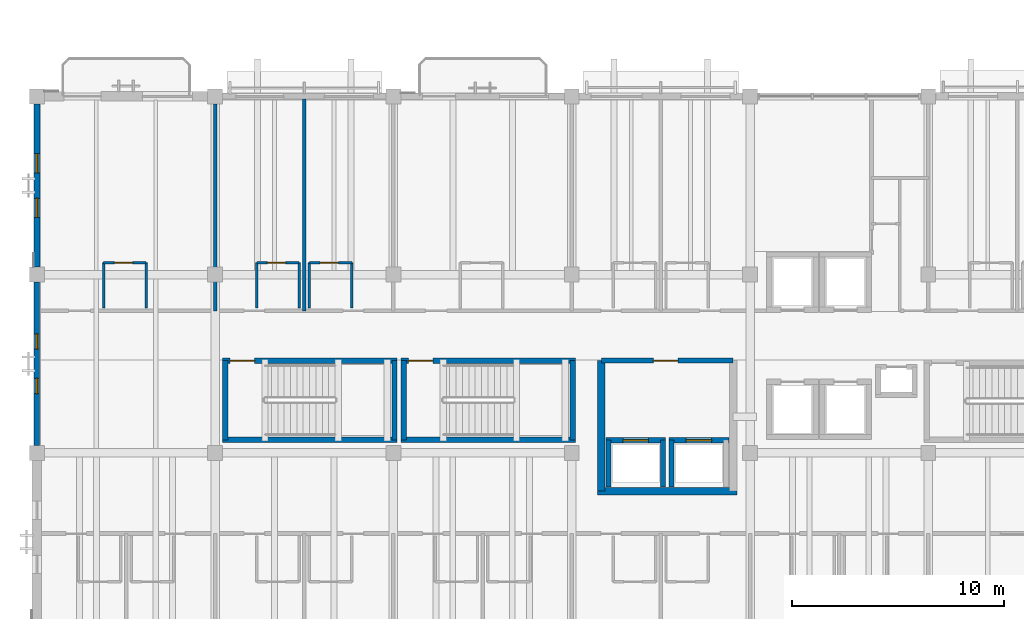
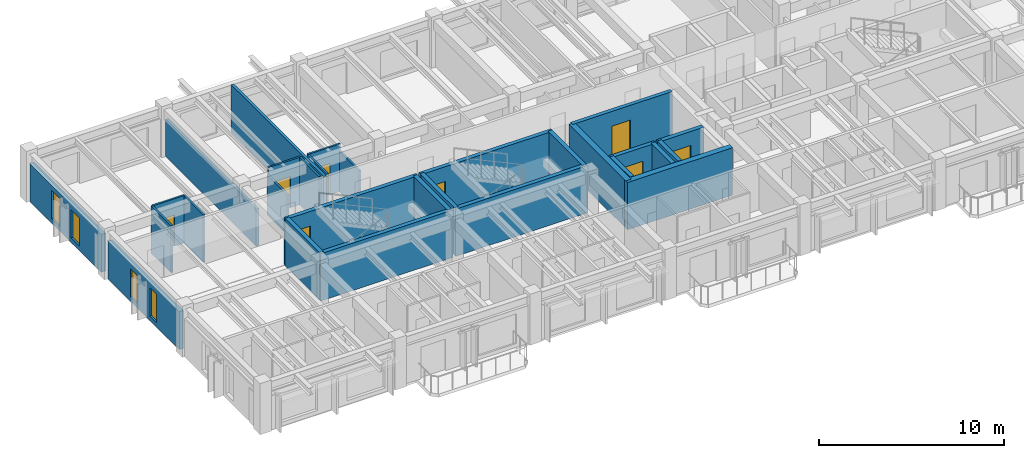
# One storey, part 36 of 64: 29 walls, 8 doors, 4 windows, 12 openings.
"""IFC4 building model written with IfcOpenShell, lengths in metres."""

from ifc_helpers import new_model, si_unit, direction, frame, frame_2d, origin, place, context, subcontext, project, spatial, rectangle, extrude, material, layer, layer_set, type_object, element, fill, save


model = new_model("IFC4")

# Units and contexts
model_context = context("Model", 3, precision=1e-05, world=origin(), true_north=direction((0.0, 1.0)))
body_context = subcontext(model_context, "Body", "Model", "MODEL_VIEW")
ifc_project = project(units=[si_unit("LENGTHUNIT", "METRE"), si_unit("AREAUNIT", "SQUARE_METRE"), si_unit("VOLUMEUNIT", "CUBIC_METRE"), si_unit("PLANEANGLEUNIT", "RADIAN"), si_unit("MASSUNIT", "GRAM", prefix="KILO")], contexts=[model_context])

# Site, building, storey
site_placement = place(None, origin())
site = spatial("IfcSite", under=ifc_project, at=site_placement, CompositionType="ELEMENT")
building_placement = place(site_placement, origin())
building = spatial("IfcBuilding", under=site, at=building_placement, Name="Cumbredor Promenade Congress Hotel", CompositionType="ELEMENT")
storey_placement = place(building_placement, frame((0.0, 0.0, 18.47998046875)))
storey = spatial("IfcBuildingStorey", under=building, at=storey_placement, Name="L05", CompositionType="ELEMENT", Elevation=18.47998046875)

# Walls
ifc_material_1 = material(Name="Concrete C50/60", Category="concrete")
ifc_layer_1 = layer(ifc_material_1, 0.35009765625, Name="Concrete C50/60", Category="concrete")
ifc_layer_set_1 = layer_set([ifc_layer_1], Name="Concrete C50/60")
wall_type_1 = type_object("IfcWallType", Name="Seismic Shear Core Wall 350mm", PredefinedType="SHEAR", material=ifc_layer_set_1)
wall_1_placement = place(storey_placement, frame((26.60009765625, 99.0, 0.0), z_axis=(0.0, 0.0, 1.0), x_axis=(0.0, 1.0, 0.0)))
element("IfcWall", 1, at=wall_1_placement, inside=storey, type_object=wall_type_1, Name="L05 Hotel Core Shear Wall W1", PredefinedType="SHEAR", context=body_context, shape_type="SweptSolid", body=[
    extrude(rectangle(XDim=6.14990234375, YDim=0.35009765625, at=frame_2d((3.074951171875, 0.0))), origin(), (0.0, 0.0, 1.0), 3.1201171875),
])
wall_2_placement = place(storey_placement, frame((26.425048828125, 99.0, 0.0), z_axis=(0.0, 0.0, 1.0), x_axis=(1.0, 0.0, 0.0)))
element("IfcWall", 2, at=wall_2_placement, inside=storey, type_object=wall_type_1, Name="L05 Hotel Core Shear Wall S1", PredefinedType="SHEAR", context=body_context, shape_type="SweptSolid", body=[
    extrude(rectangle(XDim=6.550048828125, YDim=0.35009765625, at=frame_2d((3.27490234375, 0.0))), origin(), (0.0, 0.0, 1.0), 3.1201171875),
])

# Wall, opening, door
ifc_material_2 = material(Name="Moisture-resistant gypsum board on steel studs", Category="steel")
ifc_layer_2 = layer(ifc_material_2, 0.114990234375, Name="Moisture-resistant gypsum board on steel studs", Category="steel")
ifc_layer_set_2 = layer_set([ifc_layer_2], Name="Moisture-resistant gypsum board on steel studs")
wall_type_2 = type_object("IfcWallType", Name="WL-BATH-115", PredefinedType="PARTITIONING", material=ifc_layer_set_2)
wall_3_placement = place(storey_placement, frame((3.14990234375, 109.77001953125, 0.0), z_axis=(0.0, 0.0, 1.0), x_axis=(1.0, 0.0, 0.0)))
wall_3 = element("IfcWall", 3, at=wall_3_placement, inside=storey, type_object=wall_type_2, Name="L05 Interior Partition W-L05-BH-0501", PredefinedType="PARTITIONING", context=body_context, shape_type="SweptSolid", body=[
    extrude(rectangle(XDim=2.0, YDim=0.114990234375, at=frame_2d((1.0, 0.0))), origin(), (0.0, 0.0, 1.0), 3.1201171875),
])
opening_1_placement = place(wall_3_placement, frame((0.5, 0.0, 0.0)))
opening_1 = element("IfcOpeningElement", 4, at=opening_1_placement, cuts=wall_3, Name="Opening ID-01", PredefinedType="OPENING", context=body_context, shape_type="SweptSolid", body=[
    extrude(rectangle(XDim=0.860107421875, YDim=2.050048828125, at=frame_2d((0.43017578125, 1.02490234375))), frame((0.0, 0.0673828125, 0.0), z_axis=(0.0, -1.0, 0.0), x_axis=(1.0, 0.0, 0.0)), (0.0, 0.0, 1.0), 0.135009765625),
])
ifc_material_3 = material(Name="Kiln-dried tropical hardwood", Category="wood")
door_type_1 = type_object("IfcDoorType", Name="DR-BATH-860", OperationType="NOTDEFINED", PredefinedType="DOOR", material=ifc_material_3)
door_1_placement = place(opening_1_placement, origin())
door_1 = element("IfcDoor", 5, at=door_1_placement, inside=storey, type_object=door_type_1, Name="L05 Interior Door W-L05-BH-0501-01", OperationType="SINGLE_SWING_RIGHT", OverallHeight=2.050048828125, OverallWidth=0.860107421875, PredefinedType="DOOR", context=body_context, shape_type="SweptSolid", body=[
    extrude(rectangle(XDim=0.860107421875, YDim=2.050048828125, at=frame_2d((0.43017578125, 1.02490234375))), frame((0.0, 0.02490234375, 0.0), z_axis=(0.0, -1.0, 0.0), x_axis=(1.0, 0.0, 0.0)), (0.0, 0.0, 1.0), 0.050048828125),
])
fill(opening_1, door_1)

# Walls
for number, where, z_axis, x_axis, name in (
    (6, (3.14990234375, 107.6201171875, 0.0), (0.0, 0.0, 1.0), (0.0, 1.0, 0.0), "L05 Interior Partition W-L05-BV1-0501"),
    (7, (5.14990234375, 107.6201171875, 0.0), (0.0, 0.0, 1.0), (0.0, 1.0, 0.0), "L05 Interior Partition W-L05-BV2-0501"),
):
    element("IfcWall", number, at=place(storey_placement, frame(where, z_axis=z_axis, x_axis=x_axis)), inside=storey, type_object=wall_type_2, Name=name, PredefinedType="PARTITIONING", context=body_context, shape_type="SweptSolid", body=[
        extrude(rectangle(XDim=2.14990234375, YDim=0.114990234375, at=frame_2d((1.074951171875, 0.0))), origin(), (0.0, 0.0, 1.0), 3.1201171875),
    ])

# Wall, opening, door
wall_4_placement = place(storey_placement, frame((10.360107421875, 109.77001953125, 0.0), z_axis=(0.0, 0.0, 1.0), x_axis=(1.0, 0.0, 0.0)))
wall_4 = element("IfcWall", 8, at=wall_4_placement, inside=storey, type_object=wall_type_2, Name="L05 Interior Partition W-L05-BH-0502", PredefinedType="PARTITIONING", context=body_context, shape_type="SweptSolid", body=[
    extrude(rectangle(XDim=2.0, YDim=0.114990234375, at=frame_2d((1.0, 0.0))), origin(), (0.0, 0.0, 1.0), 3.1201171875),
])
opening_2_placement = place(wall_4_placement, frame((0.5, 0.0, 0.0)))
opening_2 = element("IfcOpeningElement", 9, at=opening_2_placement, cuts=wall_4, Name="Opening ID-01", PredefinedType="OPENING", context=body_context, shape_type="SweptSolid", body=[
    extrude(rectangle(XDim=0.860107421875, YDim=2.050048828125, at=frame_2d((0.43017578125, 1.02490234375))), frame((0.0, 0.0673828125, 0.0), z_axis=(0.0, -1.0, 0.0), x_axis=(1.0, 0.0, 0.0)), (0.0, 0.0, 1.0), 0.135009765625),
])
door_2_placement = place(opening_2_placement, origin())
door_2 = element("IfcDoor", 10, at=door_2_placement, inside=storey, type_object=door_type_1, Name="L05 Interior Door W-L05-BH-0502-01", OperationType="SINGLE_SWING_LEFT", OverallHeight=2.050048828125, OverallWidth=0.860107421875, PredefinedType="DOOR", context=body_context, shape_type="SweptSolid", body=[
    extrude(rectangle(XDim=0.860107421875, YDim=2.050048828125, at=frame_2d((0.43017578125, 1.02490234375))), frame((0.0, 0.02490234375, 0.0), z_axis=(0.0, -1.0, 0.0), x_axis=(1.0, 0.0, 0.0)), (0.0, 0.0, 1.0), 0.050048828125),
])
fill(opening_2, door_2)

# Walls
wall_5_placement = place(storey_placement, frame((10.360107421875, 107.6201171875, 0.0), z_axis=(0.0, 0.0, 1.0), x_axis=(0.0, 1.0, 0.0)))
element("IfcWall", 11, at=wall_5_placement, inside=storey, type_object=wall_type_2, Name="L05 Interior Partition W-L05-BV1-0502", PredefinedType="PARTITIONING", context=body_context, shape_type="SweptSolid", body=[
    extrude(rectangle(XDim=2.14990234375, YDim=0.114990234375, at=frame_2d((1.074951171875, 0.0))), origin(), (0.0, 0.0, 1.0), 2.64208984375),
])
wall_6_placement = place(storey_placement, frame((12.360107421875, 107.6201171875, 0.0), z_axis=(0.0, 0.0, 1.0), x_axis=(0.0, 1.0, 0.0)))
element("IfcWall", 12, at=wall_6_placement, inside=storey, type_object=wall_type_2, Name="L05 Interior Partition W-L05-BV2-0502", PredefinedType="PARTITIONING", context=body_context, shape_type="SweptSolid", body=[
    extrude(rectangle(XDim=2.14990234375, YDim=0.114990234375, at=frame_2d((1.074951171875, 0.0))), origin(), (0.0, 0.0, 1.0), 3.1201171875),
])

# Wall, opening, door
wall_7_placement = place(storey_placement, frame((12.840087890625, 109.77001953125, 0.0), z_axis=(0.0, 0.0, 1.0), x_axis=(1.0, 0.0, 0.0)))
wall_7 = element("IfcWall", 13, at=wall_7_placement, inside=storey, type_object=wall_type_2, Name="L05 Interior Partition W-L05-BH-0503", PredefinedType="PARTITIONING", context=body_context, shape_type="SweptSolid", body=[
    extrude(rectangle(XDim=2.0, YDim=0.114990234375, at=frame_2d((1.0, 0.0))), origin(), (0.0, 0.0, 1.0), 3.1201171875),
])
opening_3_placement = place(wall_7_placement, frame((0.5, 0.0, 0.0)))
opening_3 = element("IfcOpeningElement", 14, at=opening_3_placement, cuts=wall_7, Name="Opening ID-01", PredefinedType="OPENING", context=body_context, shape_type="SweptSolid", body=[
    extrude(rectangle(XDim=0.860107421875, YDim=2.050048828125, at=frame_2d((0.43017578125, 1.02490234375))), frame((0.0, 0.0673828125, 0.0), z_axis=(0.0, -1.0, 0.0), x_axis=(1.0, 0.0, 0.0)), (0.0, 0.0, 1.0), 0.135009765625),
])
door_3_placement = place(opening_3_placement, origin())
door_3 = element("IfcDoor", 15, at=door_3_placement, inside=storey, type_object=door_type_1, Name="L05 Interior Door W-L05-BH-0503-01", OperationType="SINGLE_SWING_RIGHT", OverallHeight=2.050048828125, OverallWidth=0.860107421875, PredefinedType="DOOR", context=body_context, shape_type="SweptSolid", body=[
    extrude(rectangle(XDim=0.860107421875, YDim=2.050048828125, at=frame_2d((0.43017578125, 1.02490234375))), frame((0.0, 0.02490234375, 0.0), z_axis=(0.0, -1.0, 0.0), x_axis=(1.0, 0.0, 0.0)), (0.0, 0.0, 1.0), 0.050048828125),
])
fill(opening_3, door_3)

# Walls
wall_8_placement = place(storey_placement, frame((12.840087890625, 107.6201171875, 0.0), z_axis=(0.0, 0.0, 1.0), x_axis=(0.0, 1.0, 0.0)))
element("IfcWall", 16, at=wall_8_placement, inside=storey, type_object=wall_type_2, Name="L05 Interior Partition W-L05-BV1-0503", PredefinedType="PARTITIONING", context=body_context, shape_type="SweptSolid", body=[
    extrude(rectangle(XDim=2.14990234375, YDim=0.114990234375, at=frame_2d((1.074951171875, 0.0))), origin(), (0.0, 0.0, 1.0), 3.1201171875),
])
wall_9_placement = place(storey_placement, frame((14.840087890625, 107.6201171875, 0.0), z_axis=(0.0, 0.0, 1.0), x_axis=(0.0, 1.0, 0.0)))
element("IfcWall", 17, at=wall_9_placement, inside=storey, type_object=wall_type_2, Name="L05 Interior Partition W-L05-BV2-0503", PredefinedType="PARTITIONING", context=body_context, shape_type="SweptSolid", body=[
    extrude(rectangle(XDim=2.14990234375, YDim=0.114990234375, at=frame_2d((1.074951171875, 0.0))), origin(), (0.0, 0.0, 1.0), 2.64208984375),
])

# Wall, openings, windows
ifc_material_4 = material(Name="Concrete C40/50", Category="concrete")
ifc_layer_3 = layer(ifc_material_4, 0.260009765625, Name="Concrete C40/50", Category="concrete")
ifc_layer_set_3 = layer_set([ifc_layer_3], Name="Concrete C40/50")
wall_type_3 = type_object("IfcWallType", Name="WL-EXT-260", PredefinedType="SOLIDWALL", material=ifc_layer_set_3)
wall_10_placement = place(storey_placement, frame((0.0, 101.15087890625, 0.0), z_axis=(0.0, 0.0, 1.0), x_axis=(0.0, 1.0, 0.0)))
wall_10 = element("IfcWall", 18, at=wall_10_placement, inside=storey, type_object=wall_type_3, Name="L05 Stepped Congress Hotel Wing West Envelope Wall 2", PredefinedType="SOLIDWALL", context=body_context, shape_type="SweptSolid", body=[
    extrude(rectangle(XDim=7.6982421875, YDim=0.260009765625, at=frame_2d((3.84912109375, 0.0))), origin(), (0.0, 0.0, 1.0), 2.494140625),
])
opening_4_placement = place(wall_10_placement, frame((2.43896484375, 0.0, 0.300048828125)))
opening_4 = element("IfcOpeningElement", 19, at=opening_4_placement, cuts=wall_10, Name="Opening WN-45", PredefinedType="OPENING", context=body_context, shape_type="SweptSolid", body=[
    extrude(rectangle(XDim=0.719970703125, YDim=1.85009765625, at=frame_2d((0.35986328125, 0.925048828125))), frame((0.0, 0.14013671875, 0.0), z_axis=(0.0, -1.0, 0.0), x_axis=(1.0, 0.0, 0.0)), (0.0, 0.0, 1.0), 0.280029296875),
])
opening_5_placement = place(wall_10_placement, frame((4.5390625, 0.0, 0.300048828125)))
opening_5 = element("IfcOpeningElement", 20, at=opening_5_placement, cuts=wall_10, Name="Opening WN-45", PredefinedType="OPENING", context=body_context, shape_type="SweptSolid", body=[
    extrude(rectangle(XDim=0.719970703125, YDim=1.85009765625, at=frame_2d((0.35986328125, 0.925048828125))), frame((0.0, 0.14013671875, 0.0), z_axis=(0.0, -1.0, 0.0), x_axis=(1.0, 0.0, 0.0)), (0.0, 0.0, 1.0), 0.280029296875),
])
ifc_material_5 = material(Name="Thermally broken anodized aluminium and low-E glass", Category="aluminium")
window_type_1 = type_object("IfcWindowType", Name="Vertical Slot Window WN-45 720x1850", PartitioningType="SINGLE_PANEL", PredefinedType="WINDOW", material=ifc_material_5)
window_1_placement = place(opening_4_placement, origin())
window_1 = element("IfcWindow", 21, at=window_1_placement, inside=storey, type_object=window_type_1, Name="L05 Vertical Slot Window 0573", OverallHeight=1.85009765625, OverallWidth=0.719970703125, PartitioningType="SINGLE_PANEL", PredefinedType="WINDOW", context=body_context, shape_type="SweptSolid", body=[
    extrude(rectangle(XDim=0.719970703125, YDim=1.85009765625, at=frame_2d((0.35986328125, 0.925048828125))), frame((0.0, 0.030029296875, 0.0), z_axis=(0.0, -1.0, 0.0), x_axis=(1.0, 0.0, 0.0)), (0.0, 0.0, 1.0), 0.06005859375),
])
fill(opening_4, window_1)
window_2_placement = place(opening_5_placement, origin())
window_2 = element("IfcWindow", 22, at=window_2_placement, inside=storey, type_object=window_type_1, Name="L05 Vertical Slot Window 0574", OverallHeight=1.85009765625, OverallWidth=0.719970703125, PartitioningType="SINGLE_PANEL", PredefinedType="WINDOW", context=body_context, shape_type="SweptSolid", body=[
    extrude(rectangle(XDim=0.719970703125, YDim=1.85009765625, at=frame_2d((0.35986328125, 0.925048828125))), frame((0.0, 0.030029296875, 0.0), z_axis=(0.0, -1.0, 0.0), x_axis=(1.0, 0.0, 0.0)), (0.0, 0.0, 1.0), 0.06005859375),
])
fill(opening_5, window_2)

ifc_layer_4 = layer(ifc_material_4, 0.280029296875, Name="Concrete C40/50", Category="concrete")
ifc_layer_set_4 = layer_set([ifc_layer_4], Name="Concrete C40/50")
wall_type_4 = type_object("IfcWallType", Name="WL-EXT-280", PredefinedType="SOLIDWALL", material=ifc_layer_set_4)
wall_11_placement = place(storey_placement, frame((0.0, 109.551025390625, 0.0), z_axis=(0.0, 0.0, 1.0), x_axis=(0.0, 1.0, 0.0)))
wall_11 = element("IfcWall", 23, at=wall_11_placement, inside=storey, type_object=wall_type_4, Name="L05 Stepped Congress Hotel Wing West Envelope Wall 3", PredefinedType="SOLIDWALL", context=body_context, shape_type="SweptSolid", body=[
    extrude(rectangle(XDim=7.697998046875, YDim=0.280029296875, at=frame_2d((3.84912109375, 0.0))), origin(), (0.0, 0.0, 1.0), 2.494140625),
])
opening_6_placement = place(wall_11_placement, frame((2.34912109375, 0.0, 0.300048828125)))
opening_6 = element("IfcOpeningElement", 24, at=opening_6_placement, cuts=wall_11, Name="Opening WN-48", PredefinedType="OPENING", context=body_context, shape_type="SweptSolid", body=[
    extrude(rectangle(XDim=0.89990234375, YDim=1.85009765625, at=frame_2d((0.449951171875, 0.925048828125))), frame((0.0, 0.14990234375, 0.0), z_axis=(0.0, -1.0, 0.0), x_axis=(1.0, 0.0, 0.0)), (0.0, 0.0, 1.0), 0.300048828125),
])
opening_7_placement = place(wall_11_placement, frame((4.448974609375, 0.0, 0.300048828125)))
opening_7 = element("IfcOpeningElement", 25, at=opening_7_placement, cuts=wall_11, Name="Opening WN-48", PredefinedType="OPENING", context=body_context, shape_type="SweptSolid", body=[
    extrude(rectangle(XDim=0.89990234375, YDim=1.85009765625, at=frame_2d((0.449951171875, 0.925048828125))), frame((0.0, 0.14990234375, 0.0), z_axis=(0.0, -1.0, 0.0), x_axis=(1.0, 0.0, 0.0)), (0.0, 0.0, 1.0), 0.300048828125),
])
window_type_2 = type_object("IfcWindowType", Name="Vertical Slot Window WN-48 900x1850", PartitioningType="SINGLE_PANEL", PredefinedType="WINDOW", material=ifc_material_5)
window_3_placement = place(opening_6_placement, origin())
window_3 = element("IfcWindow", 26, at=window_3_placement, inside=storey, type_object=window_type_2, Name="L05 Vertical Slot Window 0575", OverallHeight=1.85009765625, OverallWidth=0.89990234375, PartitioningType="SINGLE_PANEL", PredefinedType="WINDOW", context=body_context, shape_type="SweptSolid", body=[
    extrude(rectangle(XDim=0.89990234375, YDim=1.85009765625, at=frame_2d((0.449951171875, 0.925048828125))), frame((0.0, 0.030029296875, 0.0), z_axis=(0.0, -1.0, 0.0), x_axis=(1.0, 0.0, 0.0)), (0.0, 0.0, 1.0), 0.06005859375),
])
fill(opening_6, window_3)
window_4_placement = place(opening_7_placement, origin())
window_4 = element("IfcWindow", 27, at=window_4_placement, inside=storey, type_object=window_type_2, Name="L05 Vertical Slot Window 0576", OverallHeight=1.85009765625, OverallWidth=0.89990234375, PartitioningType="SINGLE_PANEL", PredefinedType="WINDOW", context=body_context, shape_type="SweptSolid", body=[
    extrude(rectangle(XDim=0.89990234375, YDim=1.85009765625, at=frame_2d((0.449951171875, 0.925048828125))), frame((0.0, 0.030029296875, 0.0), z_axis=(0.0, -1.0, 0.0), x_axis=(1.0, 0.0, 0.0)), (0.0, 0.0, 1.0), 0.06005859375),
])
fill(opening_7, window_4)

# Wall, opening, door
ifc_layer_5 = layer(ifc_material_4, 0.239990234375, Name="Concrete C40/50", Category="concrete")
ifc_layer_set_5 = layer_set([ifc_layer_5], Name="Concrete C40/50")
wall_type_5 = type_object("IfcWallType", Name="WL-FFL-240", PredefinedType="SOLIDWALL", material=ifc_layer_set_5)
wall_12_placement = place(storey_placement, frame((26.60009765625, 105.14990234375, 0.0), z_axis=(0.0, 0.0, 1.0), x_axis=(1.0, 0.0, 0.0)))
wall_12 = element("IfcWall", 28, at=wall_12_placement, inside=storey, type_object=wall_type_5, Name="L05 Interior Partition W-FFL-L05-N", PredefinedType="SOLIDWALL", context=body_context, shape_type="SweptSolid", body=[
    extrude(rectangle(XDim=6.199951171875, YDim=0.239990234375, at=frame_2d((3.10009765625, 0.0))), origin(), (0.0, 0.0, 1.0), 3.1201171875),
])
opening_8_placement = place(wall_12_placement, frame((2.449951171875, 0.0, 0.0)))
opening_8 = element("IfcOpeningElement", 29, at=opening_8_placement, cuts=wall_12, Name="Opening FD-05", PredefinedType="OPENING", context=body_context, shape_type="SweptSolid", body=[
    extrude(rectangle(XDim=1.14990234375, YDim=2.14990234375, at=frame_2d((0.574951171875, 1.074951171875))), frame((0.0, 0.1298828125, 0.0), z_axis=(0.0, -1.0, 0.0), x_axis=(1.0, 0.0, 0.0)), (0.0, 0.0, 1.0), 0.260009765625),
])
ifc_material_6 = material(Name="Painted galvanized steel fire door", Category="steel")
door_type_2 = type_object("IfcDoorType", Name="DR-SGL-FD60-1150", OperationType="NOTDEFINED", PredefinedType="DOOR", material=ifc_material_6)
door_4_placement = place(opening_8_placement, origin())
door_4 = element("IfcDoor", 30, at=door_4_placement, inside=storey, type_object=door_type_2, Name="L05 Interior Door W-FFL-L05-N-01", OperationType="SINGLE_SWING_RIGHT", OverallHeight=2.14990234375, OverallWidth=1.14990234375, PredefinedType="DOOR", context=body_context, shape_type="SweptSolid", body=[
    extrude(rectangle(XDim=1.14990234375, YDim=2.14990234375, at=frame_2d((0.574951171875, 1.074951171875))), frame((0.0, 0.02490234375, 0.0), z_axis=(0.0, -1.0, 0.0), x_axis=(1.0, 0.0, 0.0)), (0.0, 0.0, 1.0), 0.050048828125),
])
fill(opening_8, door_4)

# Wall
ifc_layer_6 = layer(ifc_material_4, 0.2548828125, Name="Concrete C40/50", Category="concrete")
ifc_layer_set_6 = layer_set([ifc_layer_6], Name="Concrete C40/50")
wall_type_6 = type_object("IfcWallType", Name="WL-SHAFT-250", PredefinedType="SOLIDWALL", material=ifc_layer_set_6)
wall_13_placement = place(storey_placement, frame((8.75244140625, 101.419921875, 0.0), z_axis=(0.0, 0.0, 1.0), x_axis=(1.0, 0.0, 0.0)))
element("IfcWall", 31, at=wall_13_placement, inside=storey, type_object=wall_type_6, Name="STAIR-ST-01-L05 Shaft Wall South", PredefinedType="SOLIDWALL", context=body_context, shape_type="SweptSolid", body=[
    extrude(rectangle(XDim=8.22509765625, YDim=0.2548828125, at=frame_2d((4.112548828125, 0.0))), origin(), (0.0, 0.0, 1.0), 3.1201171875),
])

# Wall, opening, door
wall_14_placement = place(storey_placement, frame((8.75244140625, 105.14990234375, 0.0), z_axis=(0.0, 0.0, 1.0), x_axis=(1.0, 0.0, 0.0)))
wall_14 = element("IfcWall", 32, at=wall_14_placement, inside=storey, type_object=wall_type_6, Name="STAIR-ST-01-L05 Shaft Wall North", PredefinedType="SOLIDWALL", context=body_context, shape_type="SweptSolid", body=[
    extrude(rectangle(XDim=8.22509765625, YDim=0.2548828125, at=frame_2d((4.112548828125, 0.0))), origin(), (0.0, 0.0, 1.0), 3.1201171875),
])
opening_9_placement = place(wall_14_placement, frame((0.35009765625, 0.0, 0.0)))
opening_9 = element("IfcOpeningElement", 33, at=opening_9_placement, cuts=wall_14, Name="Opening SD-01", PredefinedType="OPENING", context=body_context, shape_type="SweptSolid", body=[
    extrude(rectangle(XDim=1.159912109375, YDim=2.14990234375, at=frame_2d((0.580078125, 1.074951171875))), frame((0.0, 0.137451171875, 0.0), z_axis=(0.0, -1.0, 0.0), x_axis=(1.0, 0.0, 0.0)), (0.0, 0.0, 1.0), 0.27490234375),
])
door_type_3 = type_object("IfcDoorType", Name="DR-STAIR-FD90-1150", OperationType="NOTDEFINED", PredefinedType="DOOR", material=ifc_material_6)
door_5_placement = place(opening_9_placement, origin())
door_5 = element("IfcDoor", 34, at=door_5_placement, inside=storey, type_object=door_type_3, Name="L05 Protected Exit Stair ST-01 Door", OperationType="SINGLE_SWING_LEFT", OverallHeight=2.14990234375, OverallWidth=1.159912109375, PredefinedType="DOOR", context=body_context, shape_type="SweptSolid", body=[
    extrude(rectangle(XDim=1.159912109375, YDim=2.14990234375, at=frame_2d((0.580078125, 1.074951171875))), frame((0.0, 0.02490234375, 0.0), z_axis=(0.0, -1.0, 0.0), x_axis=(1.0, 0.0, 0.0)), (0.0, 0.0, 1.0), 0.050048828125),
])
fill(opening_9, door_5)

# Walls
for number, where, z_axis, x_axis, name in (
    (35, (8.8798828125, 101.419921875, 0.0), (0.0, 0.0, 1.0), (0.0, 1.0, 0.0), "STAIR-ST-01-L05 Shaft Wall West"),
    (36, (16.85009765625, 101.419921875, 0.0), (0.0, 0.0, 1.0), (0.0, 1.0, 0.0), "STAIR-ST-01-L05 Shaft Wall East"),
):
    element("IfcWall", number, at=place(storey_placement, frame(where, z_axis=z_axis, x_axis=x_axis)), inside=storey, type_object=wall_type_6, Name=name, PredefinedType="SOLIDWALL", context=body_context, shape_type="SweptSolid", body=[
        extrude(rectangle(XDim=3.72998046875, YDim=0.2548828125, at=frame_2d((1.864990234375, 0.0))), origin(), (0.0, 0.0, 1.0), 3.1201171875),
    ])
wall_15_placement = place(storey_placement, frame((17.152587890625, 101.419921875, 0.0), z_axis=(0.0, 0.0, 1.0), x_axis=(1.0, 0.0, 0.0)))
element("IfcWall", 37, at=wall_15_placement, inside=storey, type_object=wall_type_6, Name="STAIR-ST-02-L05 Shaft Wall South", PredefinedType="SOLIDWALL", context=body_context, shape_type="SweptSolid", body=[
    extrude(rectangle(XDim=8.224853515625, YDim=0.2548828125, at=frame_2d((4.1123046875, 0.0))), origin(), (0.0, 0.0, 1.0), 3.1201171875),
])

# Wall, opening, door
wall_16_placement = place(storey_placement, frame((17.152587890625, 105.14990234375, 0.0), z_axis=(0.0, 0.0, 1.0), x_axis=(1.0, 0.0, 0.0)))
wall_16 = element("IfcWall", 38, at=wall_16_placement, inside=storey, type_object=wall_type_6, Name="STAIR-ST-02-L05 Shaft Wall North", PredefinedType="SOLIDWALL", context=body_context, shape_type="SweptSolid", body=[
    extrude(rectangle(XDim=8.224853515625, YDim=0.2548828125, at=frame_2d((4.1123046875, 0.0))), origin(), (0.0, 0.0, 1.0), 3.1201171875),
])
opening_10_placement = place(wall_16_placement, frame((0.35009765625, 0.0, 0.0)))
opening_10 = element("IfcOpeningElement", 39, at=opening_10_placement, cuts=wall_16, Name="Opening SD-01", PredefinedType="OPENING", context=body_context, shape_type="SweptSolid", body=[
    extrude(rectangle(XDim=1.159912109375, YDim=2.14990234375, at=frame_2d((0.580078125, 1.074951171875))), frame((0.0, 0.137451171875, 0.0), z_axis=(0.0, -1.0, 0.0), x_axis=(1.0, 0.0, 0.0)), (0.0, 0.0, 1.0), 0.27490234375),
])
door_6_placement = place(opening_10_placement, origin())
door_6 = element("IfcDoor", 40, at=door_6_placement, inside=storey, type_object=door_type_3, Name="L05 Protected Exit Stair ST-02 Door", OperationType="SINGLE_SWING_RIGHT", OverallHeight=2.14990234375, OverallWidth=1.159912109375, PredefinedType="DOOR", context=body_context, shape_type="SweptSolid", body=[
    extrude(rectangle(XDim=1.159912109375, YDim=2.14990234375, at=frame_2d((0.580078125, 1.074951171875))), frame((0.0, 0.02490234375, 0.0), z_axis=(0.0, -1.0, 0.0), x_axis=(1.0, 0.0, 0.0)), (0.0, 0.0, 1.0), 0.050048828125),
])
fill(opening_10, door_6)

# Walls
for number, where, z_axis, x_axis, name in (
    (41, (17.280029296875, 101.419921875, 0.0), (0.0, 0.0, 1.0), (0.0, 1.0, 0.0), "STAIR-ST-02-L05 Shaft Wall West"),
    (42, (25.25, 101.419921875, 0.0), (0.0, 0.0, 1.0), (0.0, 1.0, 0.0), "STAIR-ST-02-L05 Shaft Wall East"),
):
    element("IfcWall", number, at=place(storey_placement, frame(where, z_axis=z_axis, x_axis=x_axis)), inside=storey, type_object=wall_type_6, Name=name, PredefinedType="SOLIDWALL", context=body_context, shape_type="SweptSolid", body=[
        extrude(rectangle(XDim=3.72998046875, YDim=0.2548828125, at=frame_2d((1.864990234375, 0.0))), origin(), (0.0, 0.0, 1.0), 3.1201171875),
    ])

# Wall, opening, door
wall_17_placement = place(storey_placement, frame((26.802490234375, 101.39990234375, 0.0), z_axis=(0.0, 0.0, 1.0), x_axis=(1.0, 0.0, 0.0)))
wall_17 = element("IfcWall", 43, at=wall_17_placement, inside=storey, type_object=wall_type_6, Name="SHAFT-FF-01-L05 Shaft Wall North", PredefinedType="SOLIDWALL", context=body_context, shape_type="SweptSolid", body=[
    extrude(rectangle(XDim=2.824951171875, YDim=0.2548828125, at=frame_2d((1.41259765625, 0.0))), origin(), (0.0, 0.0, 1.0), 3.1201171875),
])
opening_11_placement = place(wall_17_placement, frame((0.8125, 0.0, 0.0)))
opening_11 = element("IfcOpeningElement", 44, at=opening_11_placement, cuts=wall_17, Name="Opening LD-02", PredefinedType="OPENING", context=body_context, shape_type="SweptSolid", body=[
    extrude(rectangle(XDim=1.199951171875, YDim=2.199951171875, at=frame_2d((0.60009765625, 1.10009765625))), frame((0.0, 0.137451171875, 0.0), z_axis=(0.0, -1.0, 0.0), x_axis=(1.0, 0.0, 0.0)), (0.0, 0.0, 1.0), 0.27490234375),
])
ifc_material_7 = material(Name="Brushed stainless steel", Category="steel")
door_type_4 = type_object("IfcDoorType", Name="Firefighting Lift Sliding Door LD-02 1200x2200", OperationType="DOUBLE_DOOR_SLIDING", PredefinedType="DOOR", material=ifc_material_7)
door_7_placement = place(opening_11_placement, origin())
door_7 = element("IfcDoor", 45, at=door_7_placement, inside=storey, type_object=door_type_4, Name="L05 Firefighting Lift FF-01 Sliding Landing Door", OperationType="DOUBLE_DOOR_SLIDING", OverallHeight=2.199951171875, OverallWidth=1.199951171875, PredefinedType="DOOR", context=body_context, shape_type="SweptSolid", body=[
    extrude(rectangle(XDim=1.199951171875, YDim=2.199951171875, at=frame_2d((0.60009765625, 1.10009765625))), frame((0.0, 0.02490234375, 0.0), z_axis=(0.0, -1.0, 0.0), x_axis=(1.0, 0.0, 0.0)), (0.0, 0.0, 1.0), 0.050048828125),
])
fill(opening_11, door_7)

# Walls
for number, where, z_axis, x_axis, name in (
    (46, (26.929931640625, 99.199951171875, 0.0), (0.0, 0.0, 1.0), (0.0, 1.0, 0.0), "SHAFT-FF-01-L05 Shaft Wall West"),
    (47, (29.5, 99.199951171875, 0.0), (0.0, 0.0, 1.0), (0.0, 1.0, 0.0), "SHAFT-FF-01-L05 Shaft Wall East"),
):
    element("IfcWall", number, at=place(storey_placement, frame(where, z_axis=z_axis, x_axis=x_axis)), inside=storey, type_object=wall_type_6, Name=name, PredefinedType="SOLIDWALL", context=body_context, shape_type="SweptSolid", body=[
        extrude(rectangle(XDim=2.199951171875, YDim=0.2548828125, at=frame_2d((1.10009765625, 0.0))), origin(), (0.0, 0.0, 1.0), 3.1201171875),
    ])

# Wall, opening, door
wall_18_placement = place(storey_placement, frame((29.7724609375, 101.39990234375, 0.0), z_axis=(0.0, 0.0, 1.0), x_axis=(1.0, 0.0, 0.0)))
wall_18 = element("IfcWall", 48, at=wall_18_placement, inside=storey, type_object=wall_type_6, Name="SHAFT-FF-02-L05 Shaft Wall North", PredefinedType="SOLIDWALL", context=body_context, shape_type="SweptSolid", body=[
    extrude(rectangle(XDim=2.824951171875, YDim=0.2548828125, at=frame_2d((1.41259765625, 0.0))), origin(), (0.0, 0.0, 1.0), 3.1201171875),
])
opening_12_placement = place(wall_18_placement, frame((0.8125, 0.0, 0.0)))
opening_12 = element("IfcOpeningElement", 49, at=opening_12_placement, cuts=wall_18, Name="Opening LD-02", PredefinedType="OPENING", context=body_context, shape_type="SweptSolid", body=[
    extrude(rectangle(XDim=1.199951171875, YDim=2.199951171875, at=frame_2d((0.60009765625, 1.10009765625))), frame((0.0, 0.137451171875, 0.0), z_axis=(0.0, -1.0, 0.0), x_axis=(1.0, 0.0, 0.0)), (0.0, 0.0, 1.0), 0.27490234375),
])
door_8_placement = place(opening_12_placement, origin())
door_8 = element("IfcDoor", 50, at=door_8_placement, inside=storey, type_object=door_type_4, Name="L05 Firefighting Lift FF-02 Sliding Landing Door", OperationType="DOUBLE_DOOR_SLIDING", OverallHeight=2.199951171875, OverallWidth=1.199951171875, PredefinedType="DOOR", context=body_context, shape_type="SweptSolid", body=[
    extrude(rectangle(XDim=1.199951171875, YDim=2.199951171875, at=frame_2d((0.60009765625, 1.10009765625))), frame((0.0, 0.02490234375, 0.0), z_axis=(0.0, -1.0, 0.0), x_axis=(1.0, 0.0, 0.0)), (0.0, 0.0, 1.0), 0.050048828125),
])
fill(opening_12, door_8)

# Walls
wall_19_placement = place(storey_placement, frame((29.89990234375, 99.199951171875, 0.0), z_axis=(0.0, 0.0, 1.0), x_axis=(0.0, 1.0, 0.0)))
element("IfcWall", 51, at=wall_19_placement, inside=storey, type_object=wall_type_6, Name="SHAFT-FF-02-L05 Shaft Wall West", PredefinedType="SOLIDWALL", context=body_context, shape_type="SweptSolid", body=[
    extrude(rectangle(XDim=2.199951171875, YDim=0.2548828125, at=frame_2d((1.10009765625, 0.0))), origin(), (0.0, 0.0, 1.0), 3.1201171875),
])
ifc_material_8 = material(Name="Fire-rated acoustic double-stud partition")
ifc_layer_7 = layer(ifc_material_8, 0.1650390625, Name="Fire-rated acoustic double-stud partition")
ifc_layer_set_7 = layer_set([ifc_layer_7], Name="Fire-rated acoustic double-stud partition")
wall_type_7 = type_object("IfcWallType", Name="WL-UNIT-165", PredefinedType="PARTITIONING", material=ifc_layer_set_7)
wall_20_placement = place(storey_placement, frame((12.60009765625, 107.5, 0.0), z_axis=(0.0, 0.0, 1.0), x_axis=(0.0, 1.0, 0.0)))
element("IfcWall", 52, at=wall_20_placement, inside=storey, type_object=wall_type_7, Name="L05 Interior Partition W-L05-N-DIV-1-M", PredefinedType="PARTITIONING", context=body_context, shape_type="SweptSolid", body=[
    extrude(rectangle(XDim=9.969970703125, YDim=0.1650390625, at=frame_2d((4.98486328125, 0.0))), origin(), (0.0, 0.0, 1.0), 3.1201171875),
])
wall_21_placement = place(storey_placement, frame((8.39990234375, 107.5, 0.0), z_axis=(0.0, 0.0, 1.0), x_axis=(0.0, 1.0, 0.0)))
element("IfcWall", 53, at=wall_21_placement, inside=storey, type_object=wall_type_7, Name="L05 Interior Partition W-L05-N-DIV-1-G", PredefinedType="PARTITIONING", context=body_context, shape_type="SweptSolid", body=[
    extrude(rectangle(XDim=9.75, YDim=0.1650390625, at=frame_2d((4.875, 0.0))), origin(), (0.0, 0.0, 1.0), 2.455078125),
])

save(model, "model.ifc")
